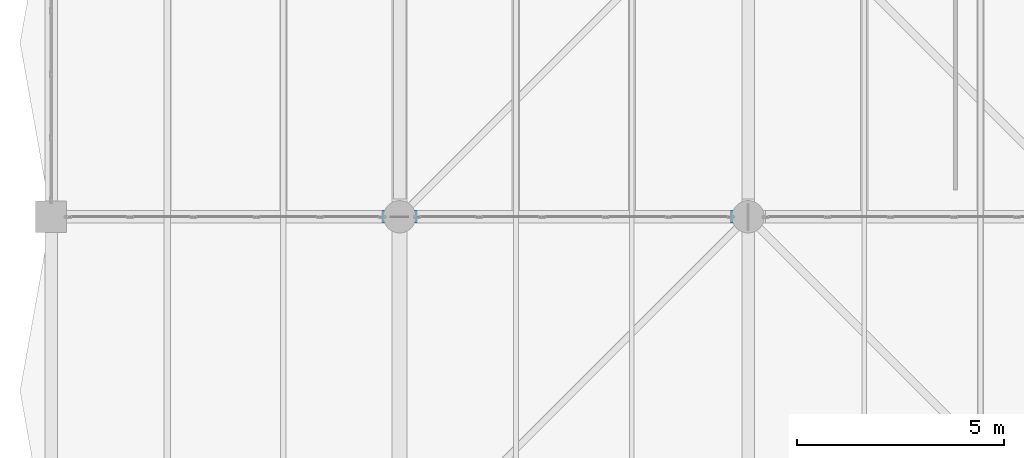
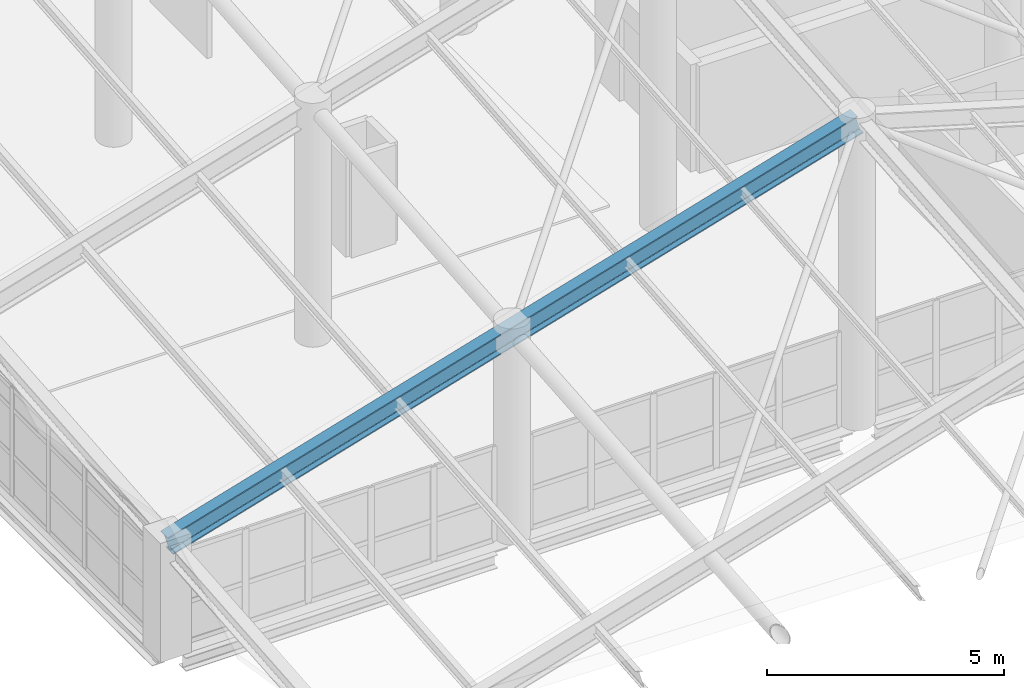
# One storey, part 26 of 95: 1 member.
"""IFC4 building model written with IfcOpenShell, lengths in metres."""

from ifc_helpers import new_model, si_unit, direction, frame, origin, origin_2d, place, context, subcontext, project, spatial, i_section, extrude, material, material_profile, profile_set, type_object, element, save


model = new_model("IFC4")

# Units and contexts
model_context = context("Model", 3, precision=1e-05, world=origin(), true_north=direction((0.0, 1.0)))
body_context = subcontext(model_context, "Body", "Model", "MODEL_VIEW")
ifc_project = project(units=[si_unit("LENGTHUNIT", "METRE"), si_unit("AREAUNIT", "SQUARE_METRE"), si_unit("VOLUMEUNIT", "CUBIC_METRE"), si_unit("PLANEANGLEUNIT", "RADIAN"), si_unit("MASSUNIT", "GRAM", prefix="KILO"), si_unit("THERMODYNAMICTEMPERATUREUNIT", "KELVIN"), si_unit("POWERUNIT", "WATT")], contexts=[model_context])

# Site, building, storey
site_placement = place(None, origin())
site = spatial("IfcSite", under=ifc_project, at=site_placement, CompositionType="ELEMENT")
building_placement = place(site_placement, origin())
building = spatial("IfcBuilding", under=site, at=building_placement, Name="Mavoryth Pier Ferry Terminal", CompositionType="ELEMENT")
storey_placement = place(building_placement, frame((0.0, 0.0, 9.60009765625)))
storey = spatial("IfcBuildingStorey", under=building, at=storey_placement, Name="L02", CompositionType="ELEMENT", Elevation=9.60009765625)

# Member
ifc_material = material(Name="Steel S355J2", Category="steel")
ifc_material_profile = material_profile(ifc_material, i_section(OverallWidth=0.300048828125, OverallDepth=0.5, WebThickness=0.014404296875, FlangeThickness=0.028076171875, FilletRadius=0.027099609375, at=origin_2d()), Name="HEB 500", Category="steel")
ifc_profile_set = profile_set([ifc_material_profile], Name="Steel S355J2 - HEB 500")
member_type = type_object("IfcMemberType", Name="Rafter-Folded-HEB500", PredefinedType="RAFTER", material=ifc_profile_set)
member_placement = place(storey_placement, frame((0.0, 72.39990234375, 2.729248046875), z_axis=(0.958821022036, 0.0, 0.284010999261), x_axis=(0.0, 1.0, 0.0)))
element("IfcMember", 1, at=member_placement, inside=storey, type_object=member_type, Name="Steel Member MB-L02-0013", PredefinedType="RAFTER", context=body_context, shape_type="SweptSolid", body=[
    extrude(i_section(OverallWidth=0.300048828125, OverallDepth=0.5, WebThickness=0.014404296875, FlangeThickness=0.028076171875, FilletRadius=0.027099609375, at=origin_2d()), origin(), (0.0, 0.0, 1.0), 17.521484375),
])

save(model, "model.ifc")
